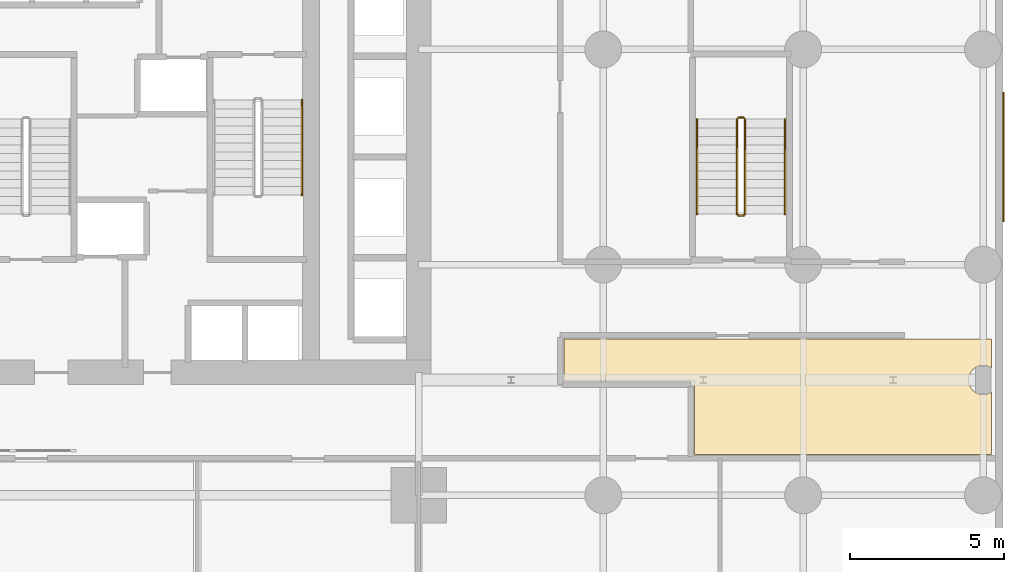
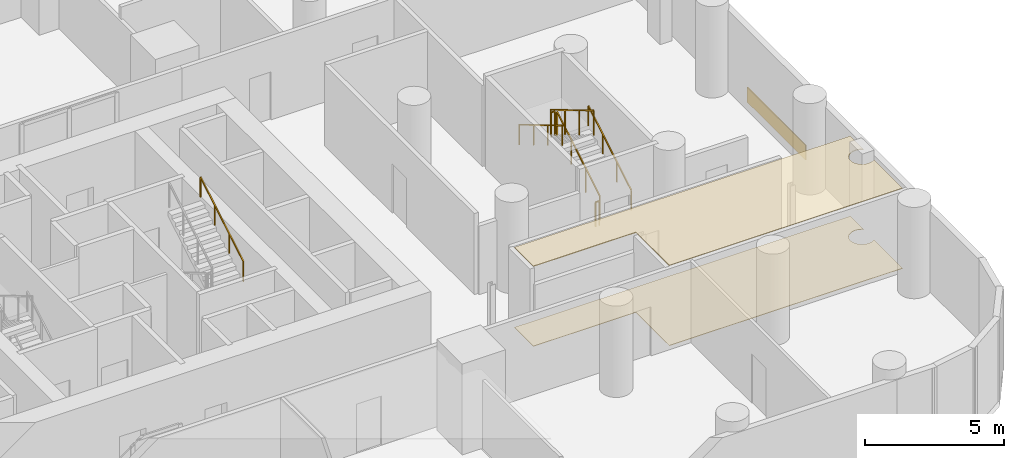
# One storey, part 14 of 15: 7 railings, 3 coverings.
"""IFC4 building model written with IfcOpenShell, lengths in metres."""

import ifcopenshell
import ifcopenshell.guid

model = None  # the IFC model being written
_history = None  # IfcOwnerHistory: only IFC2X3 demands one
_inside = {}  # id of a spatial element -> (the spatial element, [elements in it])
_under = {}  # id of a project, library or spatial element -> (it, [spatial elements below it])
_declared = {}  # id of a project -> (the project, [libraries it declares])
_typed = {}  # id of a type object -> (the type object, [elements of that type])
_made_of = {}  # id of a material, layer set ... -> (it, [elements and type objects made of it])


def new_model(schema):
    """Start an empty IFC model of exactly this schema.

    Asked for "IFC4X3", IfcOpenShell would pick the latest addendum, in which some entities
    have other attributes; the version numbers below select the first issue.
    IFC2X3 requires an IfcOwnerHistory on every rooted entity: one is made here for all.
    """
    global model, _history
    if schema == "IFC4X3":
        model = ifcopenshell.file(schema_version=(4, 3, 0, 0))
    else:
        model = ifcopenshell.file(schema=schema)
    _inside.clear()
    _under.clear()
    _declared.clear()
    _typed.clear()
    _made_of.clear()
    _history = None
    if model.schema == "IFC2X3":
        org = make("IfcOrganization", Name="unknown")
        user = make(
            "IfcPersonAndOrganization",
            ThePerson=make("IfcPerson", FamilyName="unknown"),
            TheOrganization=org,
        )
        app = make(
            "IfcApplication",
            ApplicationDeveloper=org,
            Version="unknown",
            ApplicationFullName="unknown",
            ApplicationIdentifier="unknown",
        )
        _history = make(
            "IfcOwnerHistory",
            OwningUser=user,
            OwningApplication=app,
            ChangeAction="ADDED",
            CreationDate=0,
        )
    return model


def make(cls, **values):
    """One entity of the class cls with the attributes given. An attribute that is None is left unset."""
    return model.create_entity(
        cls, **{name: value for name, value in values.items() if value is not None}
    )


def rooted(cls, **values):
    """An entity with a GlobalId (a new one), such as an element, a storey or a relation."""
    return make(cls, GlobalId=ifcopenshell.guid.new(), OwnerHistory=_history, **values)


def si_unit(unit_type, name, prefix=None):
    """IfcSIUnit, for example si_unit("LENGTHUNIT", "METRE", prefix="MILLI")."""
    return make("IfcSIUnit", UnitType=unit_type, Prefix=prefix, Name=name)


def assignment(units):
    """IfcUnitAssignment: the units of a project."""
    return None if units is None else make("IfcUnitAssignment", Units=units)


def point(xyz):
    """IfcCartesianPoint."""
    return None if xyz is None else make("IfcCartesianPoint", Coordinates=xyz)


def direction(xyz):
    """IfcDirection."""
    return None if xyz is None else make("IfcDirection", DirectionRatios=xyz)


def frame(location, z_axis=None, x_axis=None):
    """IfcAxis2Placement3D, a coordinate frame: its origin and axes. An axis left out is left unset."""
    return make(
        "IfcAxis2Placement3D",
        Location=point(location),
        Axis=direction(z_axis),
        RefDirection=direction(x_axis),
    )


def frame_2d(location, x_axis=None):
    """IfcAxis2Placement2D, a coordinate frame in the plane: its origin and x axis."""
    return make(
        "IfcAxis2Placement2D", Location=point(location), RefDirection=direction(x_axis)
    )


def origin():
    """The frame at (0, 0, 0) with its axes left unset."""
    return frame((0.0, 0.0, 0.0))


def origin_2d():
    """The frame at (0, 0) in the plane with its x axis left unset."""
    return frame_2d((0.0, 0.0))


def place(relative_to, where):
    """IfcLocalPlacement: puts the frame where relative to a parent placement (None: the world)."""
    return make(
        "IfcLocalPlacement", PlacementRelTo=relative_to, RelativePlacement=where
    )


def context(
    kind, dimensions, precision=None, world=None, true_north=None, identifier=None
):
    """IfcGeometricRepresentationContext, for example the 3D "Model" context."""
    return make(
        "IfcGeometricRepresentationContext",
        ContextIdentifier=identifier,
        ContextType=kind,
        CoordinateSpaceDimension=dimensions,
        Precision=precision,
        WorldCoordinateSystem=world,
        TrueNorth=true_north,
    )


def subcontext(parent, identifier, kind, view, scale=None):
    """IfcGeometricRepresentationSubContext, for example "Body" below "Model"."""
    return make(
        "IfcGeometricRepresentationSubContext",
        ContextIdentifier=identifier,
        ContextType=kind,
        ParentContext=parent,
        TargetScale=scale,
        TargetView=view,
    )


def project(units=None, contexts=None):
    """IfcProject with its units and contexts."""
    return rooted(
        "IfcProject",
        Name="project",
        RepresentationContexts=contexts,
        UnitsInContext=assignment(units),
    )


def spatial(cls, under=None, at=None, **own):
    """A site, building, storey or space (cls), placed at a placement, below another one or the project."""
    s = rooted(cls, ObjectPlacement=at, **own)
    if under is not None:
        _under.setdefault(under.id(), (under, []))[1].append(s)
    return s


def polyline(points):
    """IfcPolyline through the points."""
    return make("IfcPolyline", Points=[point(p) for p in points])


def profile(cls, at=None, kind="AREA", **sizes):
    """A parametric profile (cls). Its sizes go by their IFC names, for example OverallWidth=200.0."""
    return make(cls, ProfileType=kind, Position=at, **sizes)


def rectangle(**sizes):
    """IfcRectangleProfileDef."""
    return profile("IfcRectangleProfileDef", **sizes)


def outline(outer, holes=None, kind="AREA"):
    """IfcArbitraryClosedProfileDef: a profile drawn as a closed curve; with holes, ...WithVoids."""
    if holes is None:
        return make("IfcArbitraryClosedProfileDef", ProfileType=kind, OuterCurve=outer)
    return make(
        "IfcArbitraryProfileDefWithVoids",
        ProfileType=kind,
        OuterCurve=outer,
        InnerCurves=holes,
    )


def extrude(swept, where, along, depth):
    """IfcExtrudedAreaSolid: the profile swept, set in the frame where, extruded along a direction by depth."""
    return make(
        "IfcExtrudedAreaSolid",
        SweptArea=swept,
        Position=where,
        ExtrudedDirection=direction(along),
        Depth=depth,
    )


def shape(context_of_items, identifier, shape_type, items):
    """IfcShapeRepresentation: the items that make up one representation, for example the "Body"."""
    return make(
        "IfcShapeRepresentation",
        ContextOfItems=context_of_items,
        RepresentationIdentifier=identifier,
        RepresentationType=shape_type,
        Items=items,
    )


def material(Name=None, Category=None):
    """IfcMaterial."""
    return make("IfcMaterial", Name=Name, Category=Category)


def layer(
    of_material, thickness, ventilated=None, Name=None, Category=None, Priority=None
):
    """IfcMaterialLayer: one layer of a wall or slab, of a material (None: an air gap)."""
    return make(
        "IfcMaterialLayer",
        Material=of_material,
        LayerThickness=thickness,
        IsVentilated=ventilated,
        Name=Name,
        Category=Category,
        Priority=Priority,
    )


def layer_set(layers, Name=None):
    """IfcMaterialLayerSet."""
    return make("IfcMaterialLayerSet", MaterialLayers=layers, LayerSetName=Name)


def made_of(thing, what):
    """Note that an element or type object is made of a material, layer set ...; save() writes the relation."""
    if what is not None:
        _made_of.setdefault(what.id(), (what, []))[1].append(thing)
    return thing


def type_object(cls, material=None, **own):
    """A type object (cls), such as IfcWallType, which elements share."""
    return made_of(rooted(cls, **own), material)


def element(
    cls,
    number,
    at=None,
    inside=None,
    cuts=None,
    type_object=None,
    material=None,
    context=None,
    identifier="Body",
    shape_type=None,
    held_by="IfcProductDefinitionShape",
    body=None,
    shapes=None,
    **own,
):
    """One element of the class cls, such as IfcWall. Its Tag is "e" and its number.

    at: its placement. inside: the storey or other place that contains it. cuts: it is an
    opening in that element (IfcRelVoidsElement). A single representation is given by context,
    identifier, shape_type and body (its items); several are given by shapes. held_by: the class
    of the entity that holds the representations. save() writes the other relations.
    """
    e = rooted(cls, Tag="e%d" % number, ObjectPlacement=at, **own)
    if body is not None:
        shapes = [shape(context, identifier, shape_type, body)]
    if shapes is not None:
        e.Representation = make(held_by, Representations=shapes)
    if inside is not None:
        _inside.setdefault(inside.id(), (inside, []))[1].append(e)
    if cuts is not None:
        rooted(
            "IfcRelVoidsElement", RelatingBuildingElement=cuts, RelatedOpeningElement=e
        )
    if type_object is not None:
        _typed.setdefault(type_object.id(), (type_object, []))[1].append(e)
    return made_of(e, material)


def aggregate(whole, parts):
    """IfcRelAggregates: a whole, such as a stair, and the parts it consists of."""
    return rooted("IfcRelAggregates", RelatingObject=whole, RelatedObjects=parts)


def save(model, path):
    """Write the relations noted so far, then the file.

    IfcRelAggregates (storeys below a building ...), IfcRelContainedInSpatialStructure (elements
    in a storey), IfcRelDefinesByType, IfcRelAssociatesMaterial and IfcRelDeclares: one each for
    every whole, place, type object, material and project.
    """
    for whole, parts in _under.values():
        aggregate(whole, parts)
    for where, things in _inside.values():
        rooted(
            "IfcRelContainedInSpatialStructure",
            RelatedElements=things,
            RelatingStructure=where,
        )
    for kind, things in _typed.values():
        rooted("IfcRelDefinesByType", RelatedObjects=things, RelatingType=kind)
    for what, things in _made_of.values():
        rooted("IfcRelAssociatesMaterial", RelatedObjects=things, RelatingMaterial=what)
    for by, libraries in _declared.values():
        rooted("IfcRelDeclares", RelatingContext=by, RelatedDefinitions=libraries)
    model.write(path)


model = new_model("IFC4")

# Units and contexts
model_context = context("Model", 3, precision=1e-05, world=origin(), true_north=direction((0.0, 1.0)))
body_context = subcontext(model_context, "Body", "Model", "MODEL_VIEW")
ifc_project = project(units=[si_unit("LENGTHUNIT", "METRE"), si_unit("AREAUNIT", "SQUARE_METRE"), si_unit("VOLUMEUNIT", "CUBIC_METRE"), si_unit("PLANEANGLEUNIT", "RADIAN"), si_unit("MASSUNIT", "GRAM", prefix="KILO")], contexts=[model_context])

# Site, building, storey
site_placement = place(None, origin())
site = spatial("IfcSite", under=ifc_project, at=site_placement, CompositionType="ELEMENT")
building_placement = place(site_placement, origin())
building = spatial("IfcBuilding", under=site, at=building_placement, Name="Veldorim Arch Residences", CompositionType="ELEMENT")
storey_placement = place(building_placement, frame((0.0, 0.0, 16.0)))
storey = spatial("IfcBuildingStorey", under=building, at=storey_placement, Name="L04", CompositionType="ELEMENT", Elevation=16.0)

# Railings
ifc_material_1 = material(Name="Steel S355", Category="steel")
railing_type_1 = type_object("IfcRailingType", Name="Galvanised Steel Stair Safety Guardrail 1100", PredefinedType="GUARDRAIL", material=ifc_material_1)
railing_1_placement = place(storey_placement, frame((51.610107421875, 22.14990234375, 0.166748046875)))
element("IfcRailing", 1, at=railing_1_placement, inside=storey, type_object=railing_type_1, Name="L04 ST-3 stair guard 1", PredefinedType="GUARDRAIL", context=body_context, shape_type="SweptSolid", body=[
    extrude(rectangle(XDim=0.048095703125, YDim=0.048095703125, at=origin_2d()), frame((0.0, 0.0, 1.076171875), z_axis=(0.0, 0.859308565015, 0.511457515432), x_axis=(-1.0, 0.0, 0.0)), (0.0, 0.0, 1.0), 3.58447265625),
    extrude(rectangle(XDim=0.0419921875, YDim=0.0419921875, at=origin_2d()), origin(), (0.0, 0.0, 1.0), 1.052001953125),
    extrude(rectangle(XDim=0.0419921875, YDim=0.0419921875, at=origin_2d()), frame((0.0, 1.026611328125, 0.611083984375)), (0.0, 0.0, 1.0), 1.052001953125),
    extrude(rectangle(XDim=0.0419921875, YDim=0.0419921875, at=origin_2d()), frame((0.0, 2.053466796875, 1.22216796875)), (0.0, 0.0, 1.0), 1.052001953125),
    extrude(rectangle(XDim=0.0419921875, YDim=0.0419921875, at=origin_2d()), frame((0.0, 3.080078125, 1.833251953125)), (0.0, 0.0, 1.0), 1.052001953125),
])
railing_2_placement = place(storey_placement, frame((51.56005859375, 25.280029296875, 2.0)))
element("IfcRailing", 2, at=railing_2_placement, inside=storey, type_object=railing_type_1, Name="L04 ST-3 stair guard 2", PredefinedType="GUARDRAIL", context=body_context, shape_type="SweptSolid", body=[
    extrude(rectangle(XDim=0.048095703125, YDim=0.048095703125, at=origin_2d()), frame((0.0, 0.0, 1.076171875), z_axis=(-1.0, 0.0, 0.0), x_axis=(0.0, -1.0, 0.0)), (0.0, 0.0, 1.0), 0.16015625),
    extrude(rectangle(XDim=0.0419921875, YDim=0.0419921875, at=origin_2d()), origin(), (0.0, 0.0, 1.0), 1.052001953125),
    extrude(rectangle(XDim=0.0419921875, YDim=0.0419921875, at=origin_2d()), frame((-0.16015625, 0.0, 0.0)), (0.0, 0.0, 1.0), 1.052001953125),
])
railing_3_placement = place(storey_placement, frame((51.35009765625, 25.22998046875, 2.166748046875)))
element("IfcRailing", 3, at=railing_3_placement, inside=storey, type_object=railing_type_1, Name="L04 ST-3 stair guard 3", PredefinedType="GUARDRAIL", context=body_context, shape_type="SweptSolid", body=[
    extrude(rectangle(XDim=0.048095703125, YDim=0.048095703125, at=origin_2d()), frame((0.0, 0.0, 1.076171875), z_axis=(0.0, -0.859308565015, 0.511457515432), x_axis=(1.0, 0.0, 0.0)), (0.0, 0.0, 1.0), 3.58447265625),
    extrude(rectangle(XDim=0.0419921875, YDim=0.0419921875, at=origin_2d()), origin(), (0.0, 0.0, 1.0), 1.052001953125),
    extrude(rectangle(XDim=0.0419921875, YDim=0.0419921875, at=origin_2d()), frame((0.0, -1.026611328125, 0.611083984375)), (0.0, 0.0, 1.0), 1.052001953125),
    extrude(rectangle(XDim=0.0419921875, YDim=0.0419921875, at=origin_2d()), frame((0.0, -2.053466796875, 1.22216796875)), (0.0, 0.0, 1.0), 1.052001953125),
    extrude(rectangle(XDim=0.0419921875, YDim=0.0419921875, at=origin_2d()), frame((0.0, -3.080078125, 1.833251953125)), (0.0, 0.0, 1.0), 1.052001953125),
])
railing_4_placement = place(storey_placement, frame((51.56005859375, 22.10009765625, 0.0)))
element("IfcRailing", 4, at=railing_4_placement, inside=storey, type_object=railing_type_1, Name="L04 ST-3 stair guard 4", PredefinedType="GUARDRAIL", context=body_context, shape_type="SweptSolid", body=[
    extrude(rectangle(XDim=0.048095703125, YDim=0.048095703125, at=origin_2d()), frame((0.0, 0.0, 1.076171875), z_axis=(-1.0, 0.0, 0.0), x_axis=(0.0, -1.0, 0.0)), (0.0, 0.0, 1.0), 0.16015625),
    extrude(rectangle(XDim=0.0419921875, YDim=0.0419921875, at=origin_2d()), origin(), (0.0, 0.0, 1.0), 1.052001953125),
    extrude(rectangle(XDim=0.0419921875, YDim=0.0419921875, at=origin_2d()), frame((-0.16015625, 0.0, 0.0)), (0.0, 0.0, 1.0), 1.052001953125),
])

# Coverings
ifc_material_2 = material(Name="Acoustic Gypsum & Mineral Fibre", Category="gypsum")
ifc_layer_1 = layer(ifc_material_2, 0.034912109375, Name="Perforated Acoustic Mineral-Fibre Ceiling 35")
ifc_layer_set_1 = layer_set([ifc_layer_1], Name="Acoustic Gypsum & Mineral Fibre")
covering_type_1 = type_object("IfcCoveringType", Name="Perforated Acoustic Mineral-Fibre Ceiling 35", PredefinedType="CEILING", material=ifc_layer_set_1)
covering_1_placement = place(storey_placement, frame((0.0, 0.0, 3.4951171875)))
element("IfcCovering", 5, at=covering_1_placement, inside=storey, type_object=covering_type_1, Name="L04 acoustic suspended ceiling 03", PredefinedType="CEILING", context=body_context, shape_type="SweptSolid", body=[
    extrude(outline(polyline([(49.969970703125, 16.719970703125), (45.719970703125, 16.719970703125), (45.719970703125, 18.080078125), (59.6298828125, 18.080078125), (59.6298828125, 17.12890625), (59.58740234375, 17.161376953125), (59.472900390625, 17.208740234375), (59.35009765625, 17.22509765625), (59.22705078125, 17.208740234375), (59.112548828125, 17.161376953125), (59.01416015625, 17.0859375), (58.938720703125, 16.987548828125), (58.89111328125, 16.872802734375), (58.875, 16.75), (58.89111328125, 16.627197265625), (58.938720703125, 16.512451171875), (59.01416015625, 16.4140625), (59.112548828125, 16.338623046875), (59.22705078125, 16.291259765625), (59.35009765625, 16.27490234375), (59.472900390625, 16.291259765625), (59.58740234375, 16.338623046875), (59.6298828125, 16.37109375), (59.6298828125, 14.320068359375), (49.969970703125, 14.320068359375), (49.969970703125, 16.719970703125)])), origin(), (0.0, 0.0, 1.0), 0.034912109375),
])
ifc_material_3 = material(Name="Porcelain Ceramic Tile", Category="ceramic")
ifc_layer_2 = layer(ifc_material_3, 0.02001953125, Name="Slip-Resistant Porcelain & Vinyl Floor Finish 20")
ifc_layer_set_2 = layer_set([ifc_layer_2], Name="Porcelain Ceramic Tile")
covering_type_2 = type_object("IfcCoveringType", Name="Slip-Resistant Porcelain & Vinyl Floor Finish 20", PredefinedType="FLOORING", material=ifc_layer_set_2)
covering_2_placement = place(storey_placement, origin())
element("IfcCovering", 6, at=covering_2_placement, inside=storey, type_object=covering_type_2, Name="L04 porcelain floor finish 03", PredefinedType="FLOORING", context=body_context, shape_type="SweptSolid", body=[
    extrude(outline(polyline([(49.969970703125, 16.719970703125), (45.719970703125, 16.719970703125), (45.719970703125, 18.080078125), (59.6298828125, 18.080078125), (59.6298828125, 17.12890625), (59.58740234375, 17.161376953125), (59.472900390625, 17.208740234375), (59.35009765625, 17.22509765625), (59.22705078125, 17.208740234375), (59.112548828125, 17.161376953125), (59.01416015625, 17.0859375), (58.938720703125, 16.987548828125), (58.89111328125, 16.872802734375), (58.875, 16.75), (58.89111328125, 16.627197265625), (58.938720703125, 16.512451171875), (59.01416015625, 16.4140625), (59.112548828125, 16.338623046875), (59.22705078125, 16.291259765625), (59.35009765625, 16.27490234375), (59.472900390625, 16.291259765625), (59.58740234375, 16.338623046875), (59.6298828125, 16.37109375), (59.6298828125, 14.320068359375), (49.969970703125, 14.320068359375), (49.969970703125, 16.719970703125)])), origin(), (0.0, 0.0, 1.0), 0.02001953125),
])
ifc_material_4 = material(Name="Terracotta Ceramic", Category="masonry")
ifc_layer_3 = layer(ifc_material_4, 0.0400390625, Name="Terracotta Rainscreen Spandrel Cladding Panel")
ifc_layer_set_3 = layer_set([ifc_layer_3], Name="Terracotta Ceramic")
covering_type_3 = type_object("IfcCoveringType", Name="Terracotta Rainscreen Spandrel Cladding Panel", PredefinedType="CLADDING", material=ifc_layer_set_3)
covering_3_placement = place(storey_placement, frame((60.010009765625, 24.0, 0.025146484375), z_axis=(0.0, 0.0, 1.0), x_axis=(0.0, 1.0, 0.0)))
element("IfcCovering", 7, at=covering_3_placement, inside=storey, type_object=covering_type_3, Name="L04 terracotta rainscreen spandrel panel 2", PredefinedType="CLADDING", context=body_context, shape_type="SweptSolid", body=[
    extrude(rectangle(XDim=4.199951171875, YDim=0.0400390625, at=origin_2d()), origin(), (0.0, 0.0, 1.0), 0.64990234375),
])

# Railings
ifc_material_5 = material(Name="Stainless Steel", Category="steel")
railing_type_2 = type_object("IfcRailingType", Name="Tubular Steel Continuous Wall Handrail 900", PredefinedType="HANDRAIL", material=ifc_material_5)
for number, where, name in (
    (8, (37.199951171875, 22.77001953125, 2.166748046875), "L04 ST-2 stair handrail 2"),
    (9, (52.909912109375, 22.14990234375, 0.166748046875), "L04 ST-3 stair handrail 1"),
):
    element("IfcRailing", number, at=place(storey_placement, frame(where)), inside=storey, type_object=railing_type_2, Name=name, PredefinedType="HANDRAIL", context=body_context, shape_type="SweptSolid", body=[
        extrude(rectangle(XDim=0.048095703125, YDim=0.048095703125, at=origin_2d()), frame((0.0, 0.0, 0.8759765625), z_axis=(0.0, 0.859308565015, 0.511457515432), x_axis=(-1.0, 0.0, 0.0)), (0.0, 0.0, 1.0), 3.58447265625),
        extrude(rectangle(XDim=0.0419921875, YDim=0.0419921875, at=origin_2d()), origin(), (0.0, 0.0, 1.0), 0.851806640625),
        extrude(rectangle(XDim=0.0419921875, YDim=0.0419921875, at=origin_2d()), frame((0.0, 1.026611328125, 0.611083984375)), (0.0, 0.0, 1.0), 0.851806640625),
        extrude(rectangle(XDim=0.0419921875, YDim=0.0419921875, at=origin_2d()), frame((0.0, 2.053466796875, 1.22216796875)), (0.0, 0.0, 1.0), 0.851806640625),
        extrude(rectangle(XDim=0.0419921875, YDim=0.0419921875, at=origin_2d()), frame((0.0, 3.080078125, 1.833251953125)), (0.0, 0.0, 1.0), 0.851806640625),
    ])
railing_5_placement = place(storey_placement, frame((50.050048828125, 25.22998046875, 2.166748046875)))
element("IfcRailing", 10, at=railing_5_placement, inside=storey, type_object=railing_type_2, Name="L04 ST-3 stair handrail 2", PredefinedType="HANDRAIL", context=body_context, shape_type="SweptSolid", body=[
    extrude(rectangle(XDim=0.048095703125, YDim=0.048095703125, at=origin_2d()), frame((0.0, 0.0, 0.8759765625), z_axis=(0.0, -0.859308565015, 0.511457515432), x_axis=(1.0, 0.0, 0.0)), (0.0, 0.0, 1.0), 3.58447265625),
    extrude(rectangle(XDim=0.0419921875, YDim=0.0419921875, at=origin_2d()), origin(), (0.0, 0.0, 1.0), 0.851806640625),
    extrude(rectangle(XDim=0.0419921875, YDim=0.0419921875, at=origin_2d()), frame((0.0, -1.026611328125, 0.611083984375)), (0.0, 0.0, 1.0), 0.851806640625),
    extrude(rectangle(XDim=0.0419921875, YDim=0.0419921875, at=origin_2d()), frame((0.0, -2.053466796875, 1.22216796875)), (0.0, 0.0, 1.0), 0.851806640625),
    extrude(rectangle(XDim=0.0419921875, YDim=0.0419921875, at=origin_2d()), frame((0.0, -3.080078125, 1.833251953125)), (0.0, 0.0, 1.0), 0.851806640625),
])

save(model, "model.ifc")
